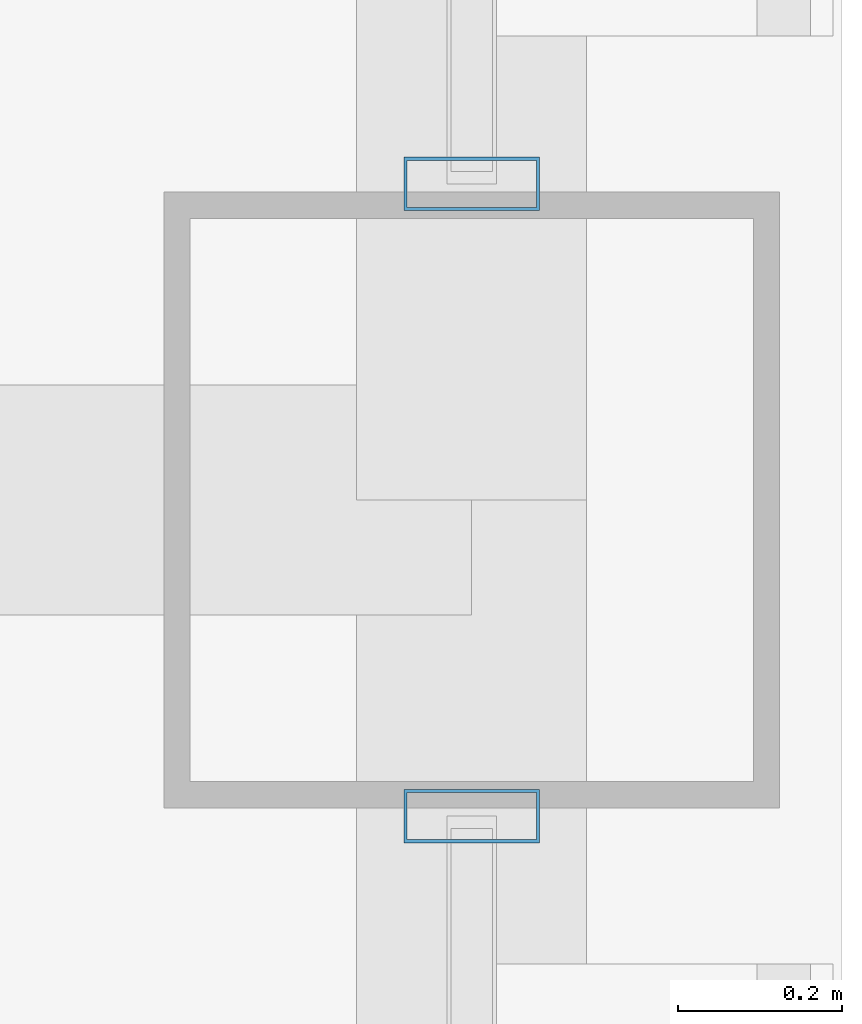
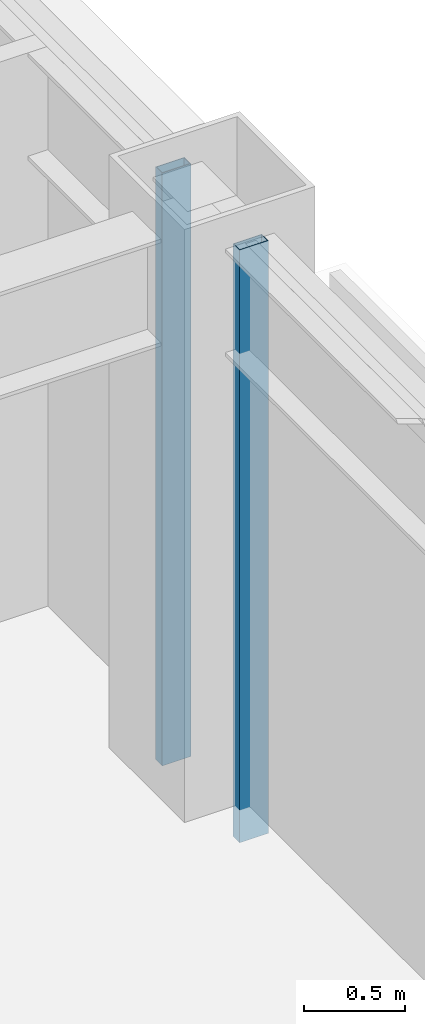
# One storey, part 17 of 30: 2 members, 2 elements without a shape of their own.
"""IFC4 building model written with IfcOpenShell, lengths in metres."""

from ifc_helpers import new_model, si_unit, direction, frame, origin, origin_2d, place, context, subcontext, project, spatial, hollow_rectangle, extrude, material, layer, layer_set, material_profile, profile_set, type_object, element, aggregate, save


model = new_model("IFC4")

# Units and contexts
model_context = context("Model", 3, precision=1e-05, world=origin(), true_north=direction((0.0, 1.0)))
body_context = subcontext(model_context, "Body", "Model", "MODEL_VIEW")
ifc_project = project(units=[si_unit("LENGTHUNIT", "METRE"), si_unit("AREAUNIT", "SQUARE_METRE"), si_unit("VOLUMEUNIT", "CUBIC_METRE"), si_unit("PLANEANGLEUNIT", "RADIAN"), si_unit("MASSUNIT", "GRAM", prefix="KILO")], contexts=[model_context])

# Site, building, storey
site_placement = place(None, origin())
site = spatial("IfcSite", under=ifc_project, at=site_placement, CompositionType="ELEMENT")
building_placement = place(site_placement, origin())
building = spatial("IfcBuilding", under=site, at=building_placement, Name="Brelmoor Portico Tower", CompositionType="ELEMENT")
storey_placement = place(building_placement, frame((0.0, 0.0, 169.5)))
storey = spatial("IfcBuildingStorey", under=building, at=storey_placement, Name="L44", CompositionType="ELEMENT", Elevation=169.5)

# Curtain wall, member
ifc_material = material(Name="Anodised Aluminium Alloy 6063-T6", Category="aluminium")
ifc_layer = layer(ifc_material, 0.179931640625)
ifc_layer_set = layer_set([ifc_layer], Name="Anodised Aluminium Alloy 6063-T6")
curtain_wall_type = type_object("IfcCurtainWallType", Name="CW-TOWER-Z3-XB", PredefinedType="NOTDEFINED", material=ifc_layer_set)
curtain_wall_1_placement = place(storey_placement, origin())
curtain_wall_1 = element("IfcCurtainWall", 1, at=curtain_wall_1_placement, inside=storey, type_object=curtain_wall_type, Name="L44 Curtain Wall CW-L44-04-2", PredefinedType="NOTDEFINED")
ifc_material_profile = material_profile(ifc_material, hollow_rectangle(XDim=0.06494140625, YDim=0.1650390625, WallThickness=0.00390625, at=origin_2d()), Name="ALU MULLION 65x165")
ifc_profile_set = profile_set([ifc_material_profile], Name="Anodised Aluminium Alloy 6063-T6")
member_type = type_object("IfcMemberType", Name="MB-CW-MULL-165", PredefinedType="MULLION", material=ifc_profile_set)
member_1_placement = place(storey_placement, frame((20.550048828125, 9.364990234375, -0.199951171875), z_axis=(0.0, 0.0, 1.0), x_axis=(0.0, 1.0, 0.0)))
member_1 = element("IfcMember", 2, at=member_1_placement, type_object=member_type, Name="CW-L44-04-2 Mullion 02", PredefinedType="MULLION", context=body_context, shape_type="SweptSolid", body=[
    extrude(hollow_rectangle(XDim=0.06494140625, YDim=0.1650390625, WallThickness=0.00390625, at=origin_2d()), origin(), (0.0, 0.0, 1.0), 3.599853515625),
])
aggregate(curtain_wall_1, [member_1])

curtain_wall_2_placement = place(storey_placement, origin())
curtain_wall_2 = element("IfcCurtainWall", 3, at=curtain_wall_2_placement, inside=storey, type_object=curtain_wall_type, Name="L44 Curtain Wall CW-L44-04-3", PredefinedType="NOTDEFINED")
member_2_placement = place(storey_placement, frame((20.550048828125, 10.135009765625, -0.199951171875), z_axis=(0.0, 0.0, 1.0), x_axis=(0.0, 1.0, 0.0)))
member_2 = element("IfcMember", 4, at=member_2_placement, type_object=member_type, Name="CW-L44-04-3 Mullion 00", PredefinedType="MULLION", context=body_context, shape_type="SweptSolid", body=[
    extrude(hollow_rectangle(XDim=0.06494140625, YDim=0.1650390625, WallThickness=0.00390625, at=origin_2d()), origin(), (0.0, 0.0, 1.0), 3.599853515625),
])
aggregate(curtain_wall_2, [member_2])

save(model, "model.ifc")
